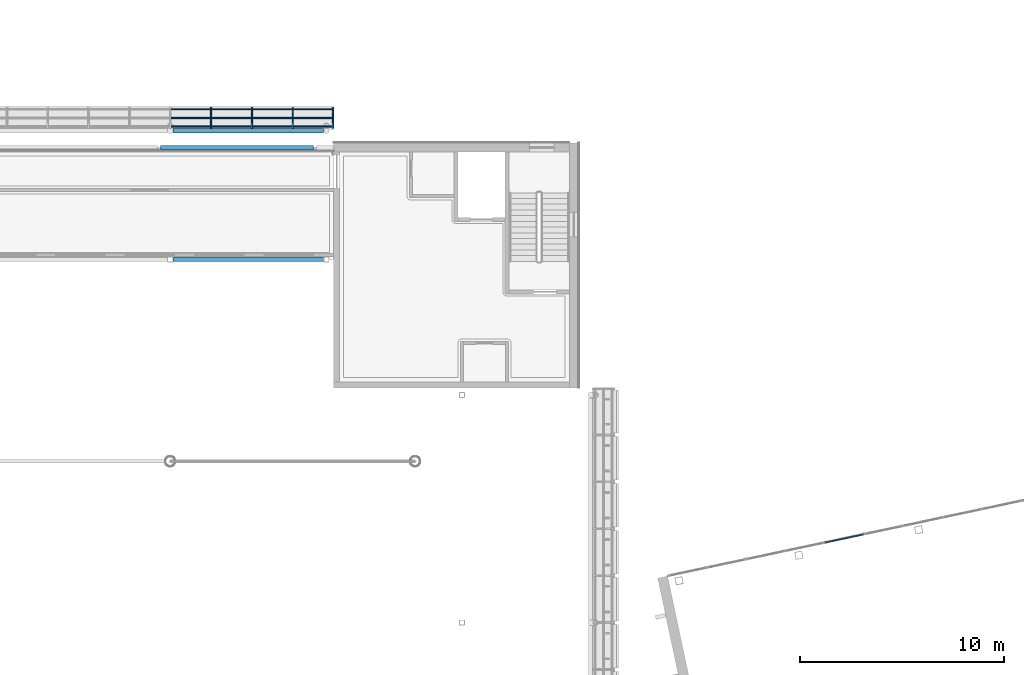
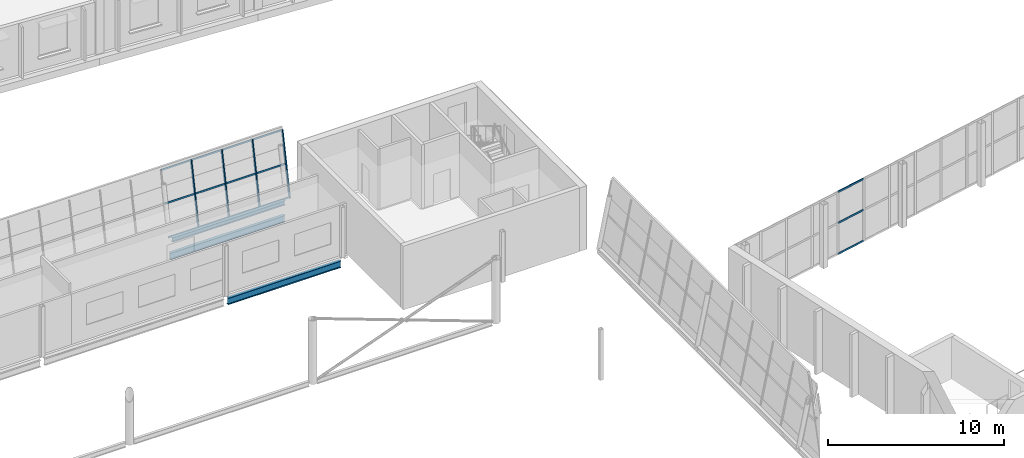
# One storey, part 33 of 95: 19 members, 3 beams, 2 elements without a shape of their own.
"""IFC4 building model written with IfcOpenShell, lengths in metres."""

from ifc_helpers import new_model, si_unit, direction, frame, origin, origin_2d, place, context, subcontext, project, spatial, rectangle, i_section, extrude, material, layer, layer_set, material_profile, profile_set, type_object, element, aggregate, save


model = new_model("IFC4")

# Units and contexts
model_context = context("Model", 3, precision=1e-05, world=origin(), true_north=direction((0.0, 1.0)))
body_context = subcontext(model_context, "Body", "Model", "MODEL_VIEW")
ifc_project = project(units=[si_unit("LENGTHUNIT", "METRE"), si_unit("AREAUNIT", "SQUARE_METRE"), si_unit("VOLUMEUNIT", "CUBIC_METRE"), si_unit("PLANEANGLEUNIT", "RADIAN"), si_unit("MASSUNIT", "GRAM", prefix="KILO")], contexts=[model_context])

# Site, building, storey
site_placement = place(None, origin())
site = spatial("IfcSite", under=ifc_project, at=site_placement, CompositionType="ELEMENT")
building_placement = place(site_placement, origin())
building = spatial("IfcBuilding", under=site, at=building_placement, Name="Windward Yard Aquatics Centre", CompositionType="ELEMENT")
storey_placement = place(building_placement, frame((0.0, 0.0, 9.39990234375)))
storey = spatial("IfcBuildingStorey", under=building, at=storey_placement, Name="L02", CompositionType="ELEMENT", Elevation=9.39990234375)

# Curtain wall, members
ifc_material_1 = material(Name="Aluminium and glass", Category="aluminium")
ifc_layer_1 = layer(ifc_material_1, 0.159912109375)
ifc_layer_set_1 = layer_set([ifc_layer_1], Name="D curtain wall 160")
curtain_wall_type_1 = type_object("IfcCurtainWallType", Name="D curtain wall 160", PredefinedType="NOTDEFINED", material=ifc_layer_set_1)
curtain_wall_1_placement = place(storey_placement, origin())
curtain_wall_1 = element("IfcCurtainWall", 1, at=curtain_wall_1_placement, inside=storey, type_object=curtain_wall_type_1, Name="North glazing L02", PredefinedType="NOTDEFINED")
ifc_material_2 = material(Name="Aluminium extrusion", Category="aluminium")
ifc_material_profile_1 = material_profile(ifc_material_2, rectangle(XDim=0.06005859375, YDim=0.1201171875, at=origin_2d()), Name="TRANSOM 60X120")
ifc_profile_set_1 = profile_set([ifc_material_profile_1], Name="Aluminium extrusion")
member_type_1 = type_object("IfcMemberType", Name="D curtain wall transom 60X120", PredefinedType="USERDEFINED", material=ifc_profile_set_1)
member_1_placement = place(storey_placement, frame((164.090576171875, 76.423095703125, 0.06005859375), z_axis=(0.978144196583, 0.207927705443, 0.0), x_axis=(-0.207927705443, 0.978144196583, 0.0)))
member_1 = element("IfcMember", 2, at=member_1_placement, type_object=member_type_1, Name="DCW-L02 transom 5.1", ObjectType="TRANSOM", PredefinedType="USERDEFINED", context=body_context, shape_type="SweptSolid", body=[
    extrude(rectangle(XDim=0.06005859375, YDim=0.1201171875, at=origin_2d()), origin(), (0.0, 0.0, 1.0), 1.90576171875),
])
member_2_placement = place(storey_placement, frame((164.090576171875, 76.423095703125, 2.2001953125), z_axis=(0.978144196583, 0.207927705443, 0.0), x_axis=(-0.207927705443, 0.978144196583, 0.0)))
member_2 = element("IfcMember", 3, at=member_2_placement, type_object=member_type_1, Name="DCW-L02 transom 5.2", ObjectType="TRANSOM", PredefinedType="USERDEFINED", context=body_context, shape_type="SweptSolid", body=[
    extrude(rectangle(XDim=0.06005859375, YDim=0.1201171875, at=origin_2d()), origin(), (0.0, 0.0, 1.0), 1.90576171875),
])
member_3_placement = place(storey_placement, frame((164.090576171875, 76.423095703125, 4.340087890625), z_axis=(0.978144196583, 0.207927705443, 0.0), x_axis=(-0.207927705443, 0.978144196583, 0.0)))
member_3 = element("IfcMember", 4, at=member_3_placement, type_object=member_type_1, Name="DCW-L02 transom 5.3", ObjectType="TRANSOM", PredefinedType="USERDEFINED", context=body_context, shape_type="SweptSolid", body=[
    extrude(rectangle(XDim=0.06005859375, YDim=0.1201171875, at=origin_2d()), origin(), (0.0, 0.0, 1.0), 1.90576171875),
])
aggregate(curtain_wall_1, [member_1, member_2, member_3])

ifc_material_3 = material(Name="Glass and aluminium curtain wall", Category="aluminium")
ifc_layer_2 = layer(ifc_material_3, 0.179931640625)
ifc_layer_set_2 = layer_set([ifc_layer_2], Name="H curtain wall tier 1 double glazed 8+16+8")
curtain_wall_type_2 = type_object("IfcCurtainWallType", Name="H curtain wall tier 1 double glazed 8+16+8", PredefinedType="NOTDEFINED", material=ifc_layer_set_2)
curtain_wall_2_placement = place(storey_placement, origin())
curtain_wall_2 = element("IfcCurtainWall", 5, at=curtain_wall_2_placement, inside=storey, type_object=curtain_wall_type_2, Name="Tier 1 glazing N L02", PredefinedType="NOTDEFINED")
ifc_material_4 = material(Name="Aluminium 6063-T6 anodised", Category="aluminium")
ifc_material_profile_2 = material_profile(ifc_material_4, rectangle(XDim=0.06494140625, YDim=0.179931640625, at=origin_2d()), Name="H CW mullion 65x180")
ifc_profile_set_2 = profile_set([ifc_material_profile_2], Name="Aluminium 6063-T6 anodised")
member_type_2 = type_object("IfcMemberType", Name="H CW mullion 65x180", PredefinedType="MULLION", material=ifc_profile_set_2)
member_4_placement = place(storey_placement, frame((134.000732421875, 96.803466796875, 0.0), z_axis=(0.0, 0.199322032497, 0.979934042352), x_axis=(-1.0, 0.0, 0.0)))
member_4 = element("IfcMember", 6, at=member_4_placement, type_object=member_type_2, Name="G1NB mullion 17", PredefinedType="MULLION", context=body_context, shape_type="SweptSolid", body=[
    extrude(rectangle(XDim=0.06494140625, YDim=0.179931640625, at=origin_2d()), origin(), (0.0, 0.0, 1.0), 4.31884765625),
])
member_5_placement = place(storey_placement, frame((136.00048828125, 96.803466796875, 0.0), z_axis=(0.0, 0.199322032497, 0.979934042352), x_axis=(-1.0, 0.0, 0.0)))
member_5 = element("IfcMember", 7, at=member_5_placement, type_object=member_type_2, Name="G1NB mullion 18", PredefinedType="MULLION", context=body_context, shape_type="SweptSolid", body=[
    extrude(rectangle(XDim=0.06494140625, YDim=0.179931640625, at=origin_2d()), origin(), (0.0, 0.0, 1.0), 4.31884765625),
])
member_6_placement = place(storey_placement, frame((138.000244140625, 96.803466796875, 0.0), z_axis=(0.0, 0.199322032497, 0.979934042352), x_axis=(-1.0, 0.0, 0.0)))
member_6 = element("IfcMember", 8, at=member_6_placement, type_object=member_type_2, Name="G1NB mullion 19", PredefinedType="MULLION", context=body_context, shape_type="SweptSolid", body=[
    extrude(rectangle(XDim=0.06494140625, YDim=0.179931640625, at=origin_2d()), origin(), (0.0, 0.0, 1.0), 4.31884765625),
])
member_7_placement = place(storey_placement, frame((139.967529296875, 96.803466796875, 0.0), z_axis=(0.0, 0.199322032497, 0.979934042352), x_axis=(-1.0, 0.0, 0.0)))
member_7 = element("IfcMember", 9, at=member_7_placement, type_object=member_type_2, Name="G1NB mullion 20", PredefinedType="MULLION", context=body_context, shape_type="SweptSolid", body=[
    extrude(rectangle(XDim=0.06494140625, YDim=0.179931640625, at=origin_2d()), origin(), (0.0, 0.0, 1.0), 4.31884765625),
])
ifc_material_profile_3 = material_profile(ifc_material_4, rectangle(XDim=0.06494140625, YDim=0.10009765625, at=origin_2d()), Name="H CW transom 65x100")
ifc_profile_set_3 = profile_set([ifc_material_profile_3], Name="Aluminium 6063-T6 anodised")
member_type_3 = type_object("IfcMemberType", Name="H CW transom 65x100", PredefinedType="USERDEFINED", material=ifc_profile_set_3)
member_8_placement = place(storey_placement, frame((132.033447265625, 96.813232421875, 0.049072265625), z_axis=(1.0, 0.0, 0.0), x_axis=(0.0, -0.9799247046, 0.19936793452)))
member_8 = element("IfcMember", 10, at=member_8_placement, type_object=member_type_3, Name="G1NB transom 16.1", ObjectType="TRANSOM", PredefinedType="USERDEFINED", context=body_context, shape_type="SweptSolid", body=[
    extrude(rectangle(XDim=0.06494140625, YDim=0.10009765625, at=origin_2d()), origin(), (0.0, 0.0, 1.0), 1.934814453125),
])
member_9_placement = place(storey_placement, frame((132.033447265625, 97.235595703125, 2.125), z_axis=(1.0, 0.0, 0.0), x_axis=(0.0, -0.9799247046, 0.19936793452)))
member_9 = element("IfcMember", 11, at=member_9_placement, type_object=member_type_3, Name="G1NB transom 16.2", ObjectType="TRANSOM", PredefinedType="USERDEFINED", context=body_context, shape_type="SweptSolid", body=[
    extrude(rectangle(XDim=0.06494140625, YDim=0.10009765625, at=origin_2d()), origin(), (0.0, 0.0, 1.0), 1.934814453125),
])
member_10_placement = place(storey_placement, frame((132.033447265625, 97.65673828125, 4.194580078125), z_axis=(1.0, 0.0, 0.0), x_axis=(0.0, -0.9799247046, 0.19936793452)))
member_10 = element("IfcMember", 12, at=member_10_placement, type_object=member_type_3, Name="G1NB transom 16.3", ObjectType="TRANSOM", PredefinedType="USERDEFINED", context=body_context, shape_type="SweptSolid", body=[
    extrude(rectangle(XDim=0.06494140625, YDim=0.10009765625, at=origin_2d()), origin(), (0.0, 0.0, 1.0), 1.934814453125),
])
member_11_placement = place(storey_placement, frame((134.033203125, 96.813232421875, 0.049072265625), z_axis=(1.0, 0.0, 0.0), x_axis=(0.0, -0.9799247046, 0.19936793452)))
member_11 = element("IfcMember", 13, at=member_11_placement, type_object=member_type_3, Name="G1NB transom 17.1", ObjectType="TRANSOM", PredefinedType="USERDEFINED", context=body_context, shape_type="SweptSolid", body=[
    extrude(rectangle(XDim=0.06494140625, YDim=0.10009765625, at=origin_2d()), origin(), (0.0, 0.0, 1.0), 1.934814453125),
])
member_12_placement = place(storey_placement, frame((134.033203125, 97.235595703125, 2.125), z_axis=(1.0, 0.0, 0.0), x_axis=(0.0, -0.9799247046, 0.19936793452)))
member_12 = element("IfcMember", 14, at=member_12_placement, type_object=member_type_3, Name="G1NB transom 17.2", ObjectType="TRANSOM", PredefinedType="USERDEFINED", context=body_context, shape_type="SweptSolid", body=[
    extrude(rectangle(XDim=0.06494140625, YDim=0.10009765625, at=origin_2d()), origin(), (0.0, 0.0, 1.0), 1.934814453125),
])
member_13_placement = place(storey_placement, frame((134.033203125, 97.65673828125, 4.194580078125), z_axis=(1.0, 0.0, 0.0), x_axis=(0.0, -0.9799247046, 0.19936793452)))
member_13 = element("IfcMember", 15, at=member_13_placement, type_object=member_type_3, Name="G1NB transom 17.3", ObjectType="TRANSOM", PredefinedType="USERDEFINED", context=body_context, shape_type="SweptSolid", body=[
    extrude(rectangle(XDim=0.06494140625, YDim=0.10009765625, at=origin_2d()), origin(), (0.0, 0.0, 1.0), 1.934814453125),
])
member_14_placement = place(storey_placement, frame((136.032958984375, 96.813232421875, 0.049072265625), z_axis=(1.0, 0.0, 0.0), x_axis=(0.0, -0.9799247046, 0.19936793452)))
member_14 = element("IfcMember", 16, at=member_14_placement, type_object=member_type_3, Name="G1NB transom 18.1", ObjectType="TRANSOM", PredefinedType="USERDEFINED", context=body_context, shape_type="SweptSolid", body=[
    extrude(rectangle(XDim=0.06494140625, YDim=0.10009765625, at=origin_2d()), origin(), (0.0, 0.0, 1.0), 1.934814453125),
])
member_15_placement = place(storey_placement, frame((136.032958984375, 97.235595703125, 2.125), z_axis=(1.0, 0.0, 0.0), x_axis=(0.0, -0.9799247046, 0.19936793452)))
member_15 = element("IfcMember", 17, at=member_15_placement, type_object=member_type_3, Name="G1NB transom 18.2", ObjectType="TRANSOM", PredefinedType="USERDEFINED", context=body_context, shape_type="SweptSolid", body=[
    extrude(rectangle(XDim=0.06494140625, YDim=0.10009765625, at=origin_2d()), origin(), (0.0, 0.0, 1.0), 1.934814453125),
])
member_16_placement = place(storey_placement, frame((136.032958984375, 97.65673828125, 4.194580078125), z_axis=(1.0, 0.0, 0.0), x_axis=(0.0, -0.9799247046, 0.19936793452)))
member_16 = element("IfcMember", 18, at=member_16_placement, type_object=member_type_3, Name="G1NB transom 18.3", ObjectType="TRANSOM", PredefinedType="USERDEFINED", context=body_context, shape_type="SweptSolid", body=[
    extrude(rectangle(XDim=0.06494140625, YDim=0.10009765625, at=origin_2d()), origin(), (0.0, 0.0, 1.0), 1.934814453125),
])
member_17_placement = place(storey_placement, frame((138.03271484375, 96.813232421875, 0.049072265625), z_axis=(1.0, 0.0, 0.0), x_axis=(0.0, -0.9799247046, 0.19936793452)))
member_17 = element("IfcMember", 19, at=member_17_placement, type_object=member_type_3, Name="G1NB transom 19.1", ObjectType="TRANSOM", PredefinedType="USERDEFINED", context=body_context, shape_type="SweptSolid", body=[
    extrude(rectangle(XDim=0.06494140625, YDim=0.10009765625, at=origin_2d()), origin(), (0.0, 0.0, 1.0), 1.90234375),
])
member_18_placement = place(storey_placement, frame((138.03271484375, 97.235595703125, 2.125), z_axis=(1.0, 0.0, 0.0), x_axis=(0.0, -0.9799247046, 0.19936793452)))
member_18 = element("IfcMember", 20, at=member_18_placement, type_object=member_type_3, Name="G1NB transom 19.2", ObjectType="TRANSOM", PredefinedType="USERDEFINED", context=body_context, shape_type="SweptSolid", body=[
    extrude(rectangle(XDim=0.06494140625, YDim=0.10009765625, at=origin_2d()), origin(), (0.0, 0.0, 1.0), 1.90234375),
])
member_19_placement = place(storey_placement, frame((138.03271484375, 97.65673828125, 4.194580078125), z_axis=(1.0, 0.0, 0.0), x_axis=(0.0, -0.9799247046, 0.19936793452)))
member_19 = element("IfcMember", 21, at=member_19_placement, type_object=member_type_3, Name="G1NB transom 19.3", ObjectType="TRANSOM", PredefinedType="USERDEFINED", context=body_context, shape_type="SweptSolid", body=[
    extrude(rectangle(XDim=0.06494140625, YDim=0.10009765625, at=origin_2d()), origin(), (0.0, 0.0, 1.0), 1.90234375),
])
aggregate(curtain_wall_2, [member_4, member_5, member_6, member_7, member_8, member_9, member_10, member_11, member_12, member_13, member_14, member_15, member_16, member_17, member_18, member_19])

# Beams
ifc_material_5 = material(Name="Steel ASTM A992 Gr 50", Category="steel")
ifc_material_profile_4 = material_profile(ifc_material_5, i_section(OverallWidth=0.19091796875, OverallDepth=0.45703125, WebThickness=0.009033203125, FlangeThickness=0.014404296875, at=origin_2d()), Name="W460X74")
ifc_profile_set_4 = profile_set([ifc_material_profile_4], Name="Steel ASTM A992 Gr 50")
beam_type_1 = type_object("IfcBeamType", Name="H gallery edge beam W460X74", PredefinedType="BEAM", material=ifc_profile_set_4)
beam_1_placement = place(storey_placement, frame((131.526123046875, 95.77490234375, -0.428466796875), z_axis=(1.0, 0.0, 0.0), x_axis=(0.0, 1.0, 0.0)))
element("IfcBeam", 22, at=beam_1_placement, inside=storey, type_object=beam_type_1, Name="H.GB.N.O8", PredefinedType="BEAM", context=body_context, shape_type="SweptSolid", body=[
    extrude(i_section(OverallWidth=0.19091796875, OverallDepth=0.45703125, WebThickness=0.009033203125, FlangeThickness=0.014404296875, at=origin_2d()), origin(), (0.0, 0.0, 1.0), 7.49755859375),
])
beam_2_placement = place(storey_placement, frame((132.126953125, 90.290283203125, -0.428466796875), z_axis=(1.0, 0.0, 0.0), x_axis=(0.0, 1.0, 0.0)))
element("IfcBeam", 23, at=beam_2_placement, inside=storey, type_object=beam_type_1, Name="H.GB.N.I7", PredefinedType="BEAM", context=body_context, shape_type="SweptSolid", body=[
    extrude(i_section(OverallWidth=0.19091796875, OverallDepth=0.45703125, WebThickness=0.009033203125, FlangeThickness=0.014404296875, at=origin_2d()), origin(), (0.0, 0.0, 1.0), 7.39599609375),
])
ifc_material_profile_5 = material_profile(ifc_material_5, i_section(OverallWidth=0.202880859375, OverallDepth=0.302001953125, WebThickness=0.007568359375, FlangeThickness=0.01318359375, at=origin_2d()), Name="W310X60")
ifc_profile_set_5 = profile_set([ifc_material_profile_5], Name="Steel ASTM A992 Gr 50")
beam_type_2 = type_object("IfcBeamType", Name="H tier ring beam W310X60", PredefinedType="BEAM", material=ifc_profile_set_5)
beam_3_placement = place(storey_placement, frame((132.136474609375, 96.59521484375, 0.0), z_axis=(1.0, 0.0, 0.0), x_axis=(0.0, 1.0, 0.0)))
element("IfcBeam", 24, at=beam_3_placement, inside=storey, type_object=beam_type_2, Name="H.RG.N7.1", PredefinedType="BEAM", context=body_context, shape_type="SweptSolid", body=[
    extrude(i_section(OverallWidth=0.202880859375, OverallDepth=0.302001953125, WebThickness=0.007568359375, FlangeThickness=0.01318359375, at=origin_2d()), origin(), (0.0, 0.0, 1.0), 7.376953125),
])

save(model, "model.ifc")
